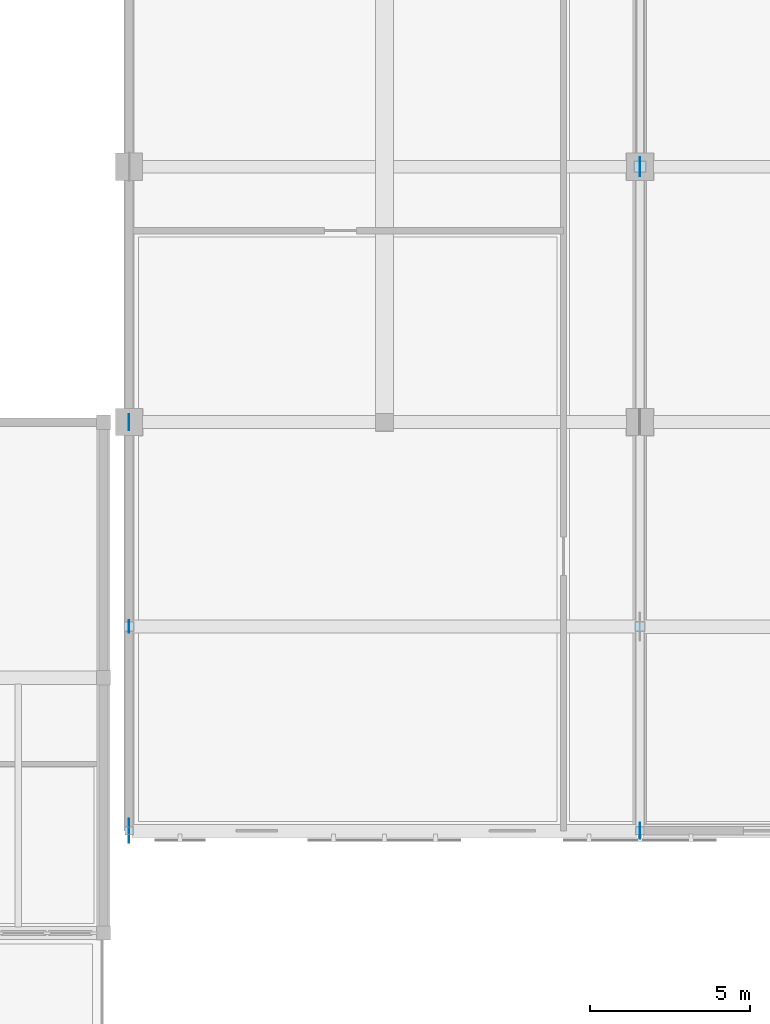
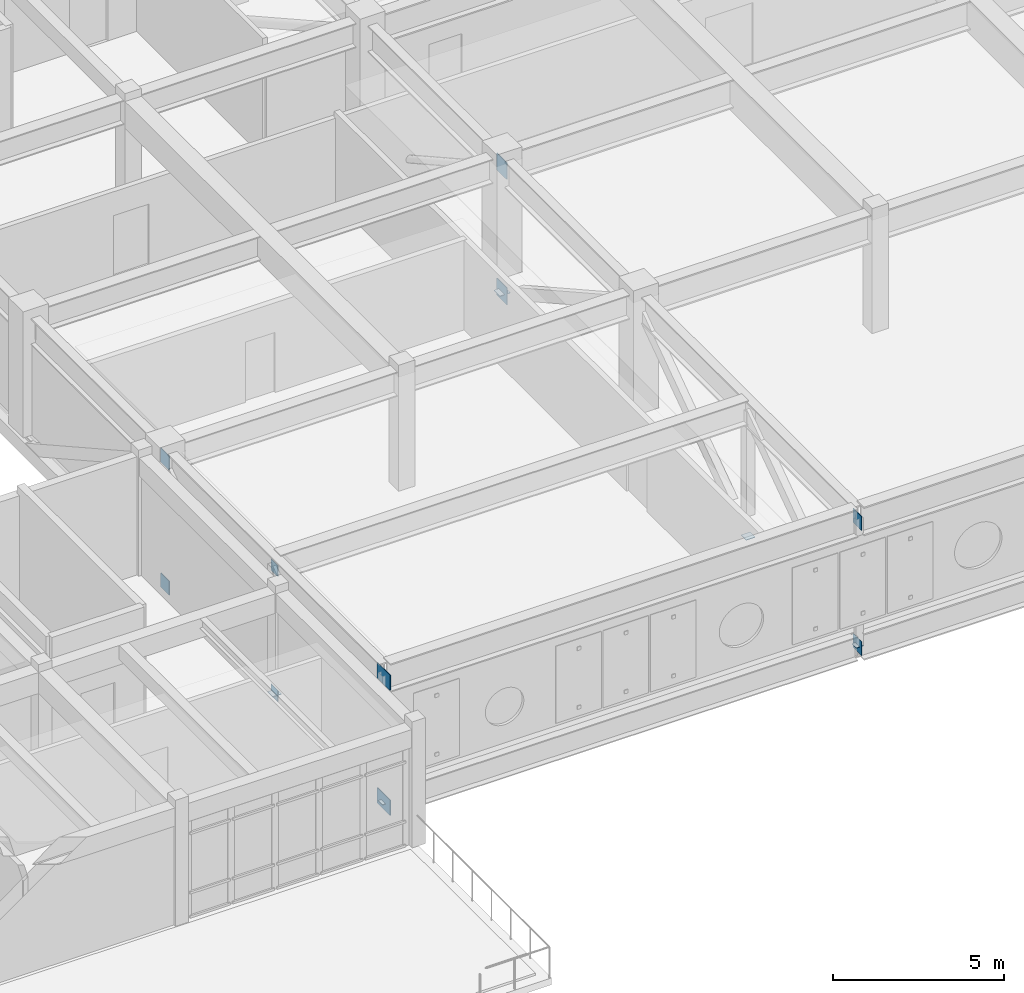
# One storey, part 46 of 79: 15 plates.
"""IFC4 building model written with IfcOpenShell, lengths in metres."""

from ifc_helpers import new_model, si_unit, direction, frame, origin, origin_2d, place, context, subcontext, project, spatial, rectangle, extrude, material, layer, layer_set, type_object, element, save


model = new_model("IFC4")

# Units and contexts
model_context = context("Model", 3, precision=1e-05, world=origin(), true_north=direction((0.0, 1.0)))
body_context = subcontext(model_context, "Body", "Model", "MODEL_VIEW")
ifc_project = project(units=[si_unit("LENGTHUNIT", "METRE"), si_unit("AREAUNIT", "SQUARE_METRE"), si_unit("VOLUMEUNIT", "CUBIC_METRE"), si_unit("PLANEANGLEUNIT", "RADIAN"), si_unit("MASSUNIT", "GRAM", prefix="KILO")], contexts=[model_context])

# Site, building, storey
site_placement = place(None, origin())
site = spatial("IfcSite", under=ifc_project, at=site_placement, CompositionType="ELEMENT")
building_placement = place(site_placement, origin())
building = spatial("IfcBuilding", under=site, at=building_placement, Name="Tlaxcora Railside Police Headquarters", CompositionType="ELEMENT")
storey_placement = place(building_placement, frame((0.0, 0.0, 9.0)))
storey = spatial("IfcBuildingStorey", under=building, at=storey_placement, Name="L02", CompositionType="ELEMENT", Elevation=9.0)

# Plates
ifc_material = material(Name="Steel ASTM A992 Grade 50", Category="steel")
ifc_layer_1 = layer(ifc_material, 0.02490234375, Name="Steel ASTM A992 Grade 50")
ifc_layer_set_1 = layer_set([ifc_layer_1], Name="Steel ASTM A992 Grade 50")
plate_type_1 = type_object("IfcPlateType", Name="Structural Gusset or Cap Plate GP-22", PredefinedType="USERDEFINED", material=ifc_layer_set_1)
plate_1_placement = place(storey_placement, frame((46.0, 29.60009765625, -0.7900390625), z_axis=(0.0, 0.0, 1.0), x_axis=(1.0, 0.0, 0.0)))
element("IfcPlate", 1, at=plate_1_placement, inside=storey, type_object=plate_type_1, Name="Truss TR-1 post bottom seal cap 4", ObjectType="GUSSET PLATE", PredefinedType="USERDEFINED", context=body_context, shape_type="SweptSolid", body=[
    extrude(rectangle(XDim=0.300048828125, YDim=0.300048828125, at=origin_2d()), origin(), (0.0, 0.0, 1.0), 0.02001953125),
])
plate_2_placement = place(storey_placement, frame((46.0, 23.199951171875, -0.7900390625), z_axis=(0.0, 0.0, 1.0), x_axis=(1.0, 0.0, 0.0)))
element("IfcPlate", 2, at=plate_2_placement, inside=storey, type_object=plate_type_1, Name="Truss TR-1 post bottom seal cap 5", ObjectType="GUSSET PLATE", PredefinedType="USERDEFINED", context=body_context, shape_type="SweptSolid", body=[
    extrude(rectangle(XDim=0.25, YDim=0.25, at=origin_2d()), origin(), (0.0, 0.0, 1.0), 0.02001953125),
])
plate_3_placement = place(storey_placement, frame((62.0, 44.0, -0.7900390625), z_axis=(0.0, 0.0, 1.0), x_axis=(1.0, 0.0, 0.0)))
element("IfcPlate", 3, at=plate_3_placement, inside=storey, type_object=plate_type_1, Name="Truss TR-2 post bottom seal cap 2", ObjectType="GUSSET PLATE", PredefinedType="USERDEFINED", context=body_context, shape_type="SweptSolid", body=[
    extrude(rectangle(XDim=0.35009765625, YDim=0.35009765625, at=origin_2d()), origin(), (0.0, 0.0, 1.0), 0.02001953125),
])
for number, where, z_axis, x_axis, name in (
    (4, (62.0, 44.0, 3.39990234375), (0.0, 0.0, 1.0), (0.0, 1.0, 0.0), "Truss gusset plate KN-2-2"),
    (5, (62.0, 44.0, -1.070068359375), (0.0, 0.0, 1.0), (0.0, 1.0, 0.0), "Truss bottom-chord gusset plate KNB-2-2"),
):
    element("IfcPlate", number, at=place(storey_placement, frame(where, z_axis=z_axis, x_axis=x_axis)), inside=storey, type_object=plate_type_1, Name=name, ObjectType="GUSSET PLATE", PredefinedType="USERDEFINED", context=body_context, shape_type="SweptSolid", body=[
        extrude(rectangle(XDim=0.60009765625, YDim=0.02490234375, at=origin_2d()), origin(), (0.0, 0.0, 1.0), 0.60009765625),
    ])
plate_4_placement = place(storey_placement, frame((62.0, 29.60009765625, -0.7900390625), z_axis=(0.0, 0.0, 1.0), x_axis=(1.0, 0.0, 0.0)))
element("IfcPlate", 6, at=plate_4_placement, inside=storey, type_object=plate_type_1, Name="Truss TR-2 post bottom seal cap 4", ObjectType="GUSSET PLATE", PredefinedType="USERDEFINED", context=body_context, shape_type="SweptSolid", body=[
    extrude(rectangle(XDim=0.300048828125, YDim=0.300048828125, at=origin_2d()), origin(), (0.0, 0.0, 1.0), 0.02001953125),
])
plate_5_placement = place(storey_placement, frame((62.0, 23.199951171875, -0.7900390625), z_axis=(0.0, 0.0, 1.0), x_axis=(1.0, 0.0, 0.0)))
element("IfcPlate", 7, at=plate_5_placement, inside=storey, type_object=plate_type_1, Name="Truss TR-2 post bottom seal cap 5", ObjectType="GUSSET PLATE", PredefinedType="USERDEFINED", context=body_context, shape_type="SweptSolid", body=[
    extrude(rectangle(XDim=0.25, YDim=0.25, at=origin_2d()), origin(), (0.0, 0.0, 1.0), 0.02001953125),
])
ifc_layer_2 = layer(ifc_material, 0.02197265625, Name="Steel ASTM A992 Grade 50")
ifc_layer_set_2 = layer_set([ifc_layer_2], Name="Steel ASTM A992 Grade 50")
plate_type_2 = type_object("IfcPlateType", Name="Structural Gusset or Cap Plate GP-24", PredefinedType="USERDEFINED", material=ifc_layer_set_2)
for number, where, z_axis, x_axis, name in (
    (8, (46.0, 36.0, 3.449951171875), (0.0, 0.0, 1.0), (0.0, 1.0, 0.0), "Truss gusset plate KN-1-3"),
    (9, (46.0, 36.0, -1.02001953125), (0.0, 0.0, 1.0), (0.0, 1.0, 0.0), "Truss bottom-chord gusset plate KNB-1-3"),
    (10, (62.0, 23.199951171875, 3.449951171875), (0.0, 0.0, 1.0), (0.0, 1.0, 0.0), "Truss gusset plate KN-2-5"),
    (11, (62.0, 23.199951171875, -1.02001953125), (0.0, 0.0, 1.0), (0.0, 1.0, 0.0), "Truss bottom-chord gusset plate KNB-2-5"),
):
    element("IfcPlate", number, at=place(storey_placement, frame(where, z_axis=z_axis, x_axis=x_axis)), inside=storey, type_object=plate_type_2, Name=name, ObjectType="GUSSET PLATE", PredefinedType="USERDEFINED", context=body_context, shape_type="SweptSolid", body=[
        extrude(rectangle(XDim=0.5, YDim=0.02197265625, at=origin_2d()), origin(), (0.0, 0.0, 1.0), 0.5),
    ])
ifc_layer_3 = layer(ifc_material, 0.02001953125, Name="Steel ASTM A992 Grade 50")
ifc_layer_set_3 = layer_set([ifc_layer_3], Name="Steel ASTM A992 Grade 50")
plate_type_3 = type_object("IfcPlateType", Name="Structural Gusset or Cap Plate GP-37", PredefinedType="USERDEFINED", material=ifc_layer_set_3)
for number, where, z_axis, x_axis, name in (
    (12, (46.0, 29.60009765625, 3.5), (0.0, 0.0, 1.0), (0.0, 1.0, 0.0), "Truss gusset plate KN-1-4"),
    (13, (46.0, 29.60009765625, -0.969970703125), (0.0, 0.0, 1.0), (0.0, 1.0, 0.0), "Truss bottom-chord gusset plate KNB-1-4"),
):
    element("IfcPlate", number, at=place(storey_placement, frame(where, z_axis=z_axis, x_axis=x_axis)), inside=storey, type_object=plate_type_3, Name=name, ObjectType="GUSSET PLATE", PredefinedType="USERDEFINED", context=body_context, shape_type="SweptSolid", body=[
        extrude(rectangle(XDim=0.39990234375, YDim=0.02001953125, at=origin_2d()), origin(), (0.0, 0.0, 1.0), 0.39990234375),
    ])
ifc_layer_4 = layer(ifc_material, 0.028076171875, Name="Steel ASTM A992 Grade 50")
ifc_layer_set_4 = layer_set([ifc_layer_4], Name="Steel ASTM A992 Grade 50")
plate_type_4 = type_object("IfcPlateType", Name="Structural Gusset or Cap Plate GP-68", PredefinedType="USERDEFINED", material=ifc_layer_set_4)
for number, where, z_axis, x_axis, name in (
    (14, (46.0, 23.199951171875, 3.4248046875), (0.0, 0.0, 1.0), (0.0, 1.0, 0.0), "Truss gusset plate KN-1-5"),
    (15, (46.0, 23.199951171875, -1.044921875), (0.0, 0.0, 1.0), (0.0, 1.0, 0.0), "Truss bottom-chord gusset plate KNB-1-5"),
):
    element("IfcPlate", number, at=place(storey_placement, frame(where, z_axis=z_axis, x_axis=x_axis)), inside=storey, type_object=plate_type_4, Name=name, ObjectType="GUSSET PLATE", PredefinedType="USERDEFINED", context=body_context, shape_type="SweptSolid", body=[
        extrude(rectangle(XDim=0.75, YDim=0.028076171875, at=origin_2d()), origin(), (0.0, 0.0, 1.0), 0.550048828125),
    ])

save(model, "model.ifc")
